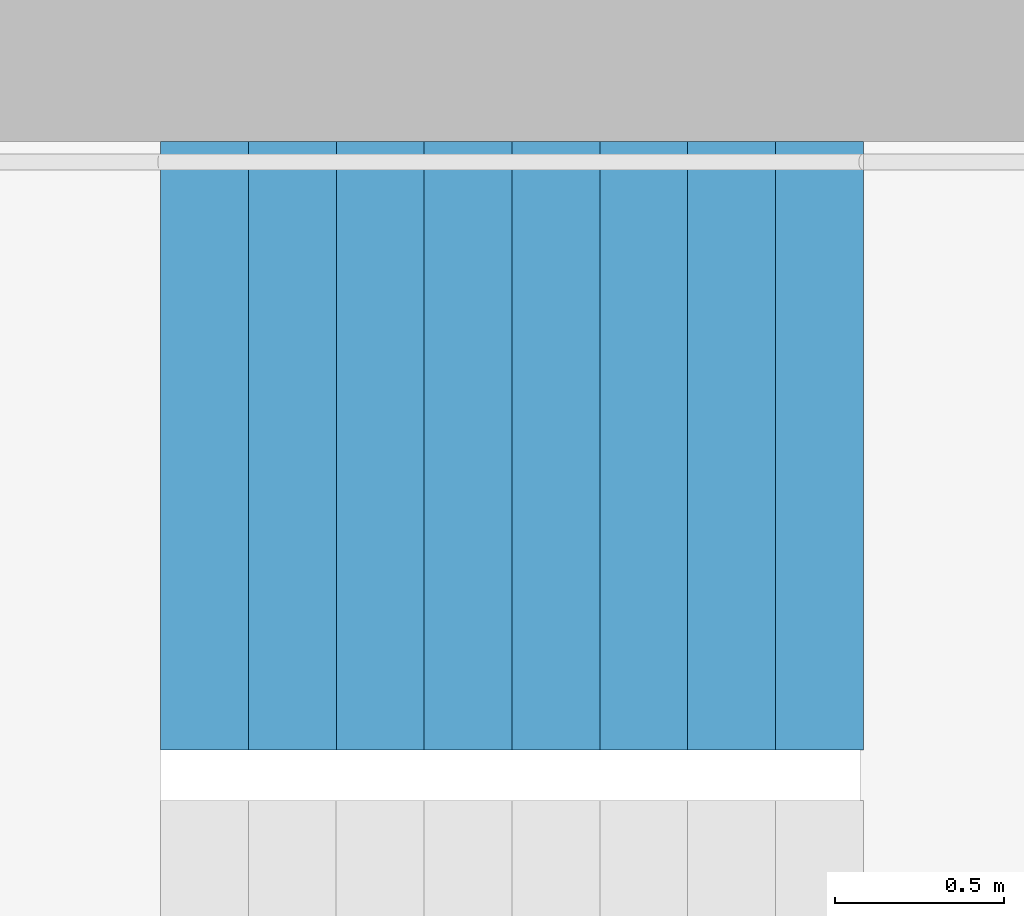
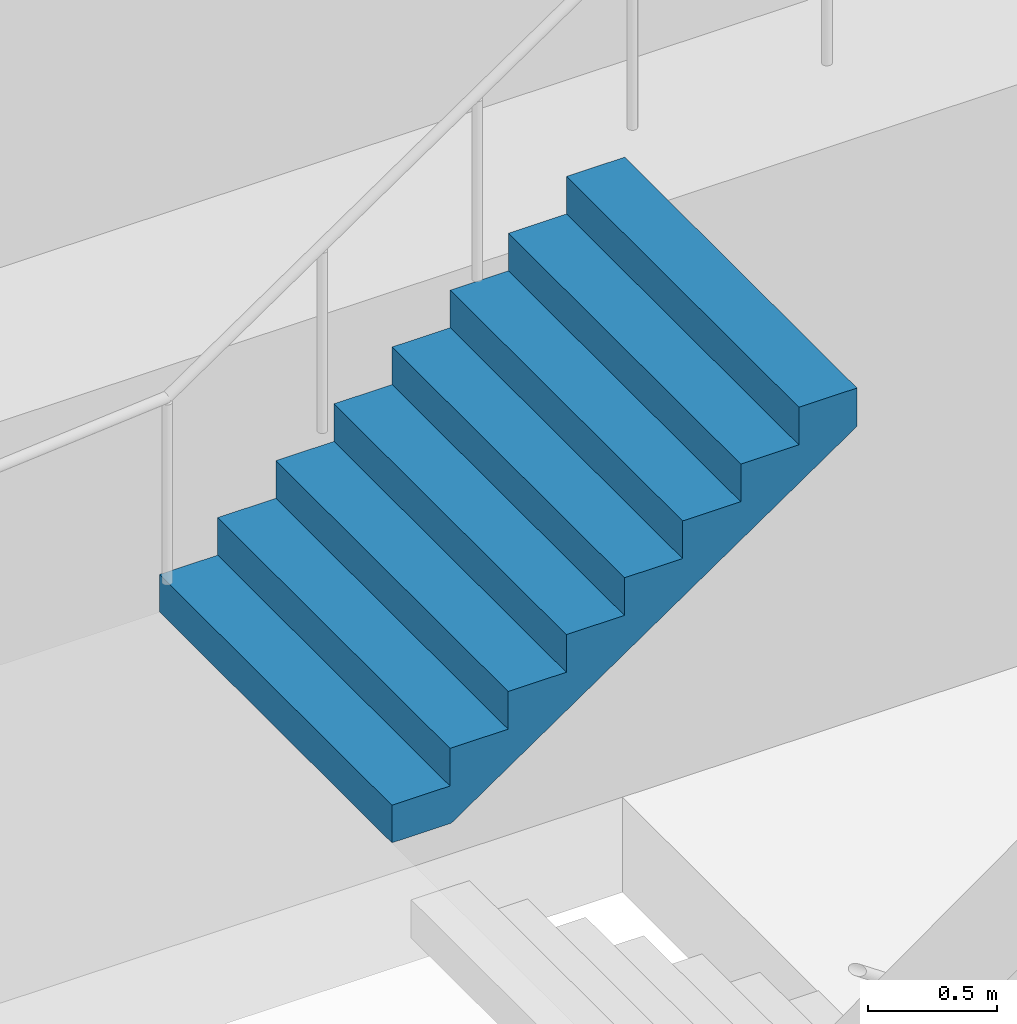
# One storey, part 26 of 27: 1 stair flight, 1 element without a shape of its own.
"""IFC4 building model written with IfcOpenShell, lengths in metres."""

from ifc_helpers import new_model, si_unit, direction, frame, origin, place, context, subcontext, project, spatial, triangles, material, type_object, element, aggregate, save


model = new_model("IFC4")

# Units and contexts
model_context = context("Model", 3, precision=1e-05, world=origin(), true_north=direction((0.0, 1.0)))
body_context = subcontext(model_context, "Body", "Model", "MODEL_VIEW")
ifc_project = project(units=[si_unit("LENGTHUNIT", "METRE"), si_unit("AREAUNIT", "SQUARE_METRE"), si_unit("VOLUMEUNIT", "CUBIC_METRE"), si_unit("PLANEANGLEUNIT", "RADIAN"), si_unit("MASSUNIT", "GRAM", prefix="KILO")], contexts=[model_context])

# Site, building, storey
site_placement = place(None, origin())
site = spatial("IfcSite", under=ifc_project, at=site_placement, CompositionType="ELEMENT")
building_placement = place(site_placement, origin())
building = spatial("IfcBuilding", under=site, at=building_placement, Name="Hakoniwa Tower and Hamabe Station Hall", CompositionType="ELEMENT")
storey_placement = place(building_placement, frame((0.0, 0.0, 239.0)))
storey = spatial("IfcBuildingStorey", under=building, at=storey_placement, Name="L67", CompositionType="ELEMENT", Elevation=239.0)

# Stair, stair flight
ifc_material_1 = material(Name="Concrete C40", Category="concrete")
stair_type = type_object("IfcStairType", Name="ESCAPE STAIR 1800", PredefinedType="HALF_TURN_STAIR", material=ifc_material_1)
stair_placement = place(storey_placement, origin())
stair = element("IfcStair", 1, at=stair_placement, inside=storey, type_object=stair_type, Name="Escape stair ST-3 L67", PredefinedType="HALF_TURN_STAIR")
ifc_material_2 = material(Name="Concrete C40", Category="concrete")
stair_flight_type = type_object("IfcStairFlightType", Name="STAIR FLIGHT 1800", PredefinedType="STRAIGHT", material=ifc_material_2)
stair_flight_placement = place(storey_placement, frame((22.320068359375, 6.60009765625, 1.60009765625), z_axis=(0.0, 0.0, 1.0), x_axis=(1.0, 0.0, 0.0)))
stair_flight = element("IfcStairFlight", 2, at=stair_flight_placement, type_object=stair_flight_type, Name="ST-3 flight 2", NumberOfRisers=9, NumberOfTreads=8, PredefinedType="STRAIGHT", RiserHeight=0.177777778, TreadLength=0.26, context=body_context, shape_type="Tessellation", body=[
    triangles([(0.0, 0.89990234375, 0.0), (0.260009765625, 0.89990234375, 0.0), (0.265625, 0.89990234375, 0.0), (0.52001953125, 0.89990234375, 0.174072265625), (0.780029296875, 0.89990234375, 0.351806640625), (1.0400390625, 0.89990234375, 0.529541015625), (1.300048828125, 0.89990234375, 0.707275390625), (1.56005859375, 0.89990234375, 0.885009765625), (1.820068359375, 0.89990234375, 1.062744140625), (2.080078125, 0.89990234375, 1.24072265625), (2.080078125, 0.89990234375, 1.422119140625), (1.820068359375, 0.89990234375, 1.422119140625), (1.820068359375, 0.89990234375, 1.244384765625), (1.56005859375, 0.89990234375, 1.244384765625), (1.56005859375, 0.89990234375, 1.066650390625), (1.300048828125, 0.89990234375, 1.066650390625), (1.300048828125, 0.89990234375, 0.888916015625), (1.0400390625, 0.89990234375, 0.888916015625), (1.0400390625, 0.89990234375, 0.711181640625), (0.780029296875, 0.89990234375, 0.711181640625), (0.780029296875, 0.89990234375, 0.533447265625), (0.52001953125, 0.89990234375, 0.533447265625), (0.52001953125, 0.89990234375, 0.35546875), (0.265625, 0.89990234375, 0.35546875), (0.260009765625, 0.89990234375, 0.35546875), (0.260009765625, 0.89990234375, 0.177734375), (0.0, 0.89990234375, 0.177734375), (0.0, 0.06005859375, 0.0), (0.260009765625, 0.06005859375, 0.0), (0.265625, 0.06005859375, 0.0), (0.52001953125, 0.06005859375, 0.174072265625), (0.780029296875, 0.06005859375, 0.351806640625), (1.0400390625, 0.06005859375, 0.529541015625), (1.300048828125, 0.06005859375, 0.707275390625), (1.56005859375, 0.06005859375, 0.885009765625), (1.820068359375, 0.06005859375, 1.062744140625), (2.080078125, 0.06005859375, 1.24072265625), (2.080078125, 0.06005859375, 1.422119140625), (1.820068359375, 0.06005859375, 1.422119140625), (1.820068359375, 0.06005859375, 1.244384765625), (1.56005859375, 0.06005859375, 1.244384765625), (1.56005859375, 0.06005859375, 1.066650390625), (1.300048828125, 0.06005859375, 1.066650390625), (1.300048828125, 0.06005859375, 0.888916015625), (1.0400390625, 0.06005859375, 0.888916015625), (1.0400390625, 0.06005859375, 0.711181640625), (0.780029296875, 0.06005859375, 0.711181640625), (0.780029296875, 0.06005859375, 0.533447265625), (0.52001953125, 0.06005859375, 0.533447265625), (0.52001953125, 0.06005859375, 0.35546875), (0.265625, 0.06005859375, 0.35546875), (0.260009765625, 0.06005859375, 0.35546875), (0.260009765625, 0.06005859375, 0.177734375), (0.0, 0.06005859375, 0.177734375), (0.0, 0.04296875, 0.0), (0.260009765625, 0.04296875, 0.0), (0.265625, 0.04296875, 0.0), (0.52001953125, 0.04296875, 0.174072265625), (0.780029296875, 0.04296875, 0.351806640625), (1.0400390625, 0.04296875, 0.529541015625), (1.300048828125, 0.04296875, 0.707275390625), (1.56005859375, 0.04296875, 0.885009765625), (1.820068359375, 0.04296875, 1.062744140625), (2.080078125, 0.04296875, 1.24072265625), (2.080078125, 0.04296875, 1.422119140625), (1.820068359375, 0.04296875, 1.422119140625), (1.820068359375, 0.04296875, 1.244384765625), (1.56005859375, 0.04296875, 1.244384765625), (1.56005859375, 0.04296875, 1.066650390625), (1.300048828125, 0.04296875, 1.066650390625), (1.300048828125, 0.04296875, 0.888916015625), (1.0400390625, 0.04296875, 0.888916015625), (1.0400390625, 0.04296875, 0.711181640625), (0.780029296875, 0.04296875, 0.711181640625), (0.780029296875, 0.04296875, 0.533447265625), (0.52001953125, 0.04296875, 0.533447265625), (0.52001953125, 0.04296875, 0.35546875), (0.265625, 0.04296875, 0.35546875), (0.260009765625, 0.04296875, 0.35546875), (0.260009765625, 0.04296875, 0.177734375), (0.0, 0.04296875, 0.177734375), (0.0, 0.025634765625, 0.0), (0.260009765625, 0.025634765625, 0.0), (0.265625, 0.025634765625, 0.0), (0.52001953125, 0.025634765625, 0.174072265625), (0.780029296875, 0.025634765625, 0.351806640625), (1.0400390625, 0.025634765625, 0.529541015625), (1.300048828125, 0.025634765625, 0.707275390625), (1.56005859375, 0.025634765625, 0.885009765625), (1.820068359375, 0.025634765625, 1.062744140625), (2.080078125, 0.025634765625, 1.24072265625), (2.080078125, 0.025634765625, 1.422119140625), (1.820068359375, 0.025634765625, 1.422119140625), (1.820068359375, 0.025634765625, 1.244384765625), (1.56005859375, 0.025634765625, 1.244384765625), (1.56005859375, 0.025634765625, 1.066650390625), (1.300048828125, 0.025634765625, 1.066650390625), (1.300048828125, 0.025634765625, 0.888916015625), (1.0400390625, 0.025634765625, 0.888916015625), (1.0400390625, 0.025634765625, 0.711181640625), (0.780029296875, 0.025634765625, 0.711181640625), (0.780029296875, 0.025634765625, 0.533447265625), (0.52001953125, 0.025634765625, 0.533447265625), (0.52001953125, 0.025634765625, 0.35546875), (0.265625, 0.025634765625, 0.35546875), (0.260009765625, 0.025634765625, 0.35546875), (0.260009765625, 0.025634765625, 0.177734375), (0.0, 0.025634765625, 0.177734375), (0.0, 0.008544921875, 0.0), (0.260009765625, 0.008544921875, 0.0), (0.265625, 0.008544921875, 0.0), (0.52001953125, 0.008544921875, 0.174072265625), (0.780029296875, 0.008544921875, 0.351806640625), (1.0400390625, 0.008544921875, 0.529541015625), (1.300048828125, 0.008544921875, 0.707275390625), (1.56005859375, 0.008544921875, 0.885009765625), (1.820068359375, 0.008544921875, 1.062744140625), (2.080078125, 0.008544921875, 1.24072265625), (2.080078125, 0.008544921875, 1.422119140625), (1.820068359375, 0.008544921875, 1.422119140625), (1.820068359375, 0.008544921875, 1.244384765625), (1.56005859375, 0.008544921875, 1.244384765625), (1.56005859375, 0.008544921875, 1.066650390625), (1.300048828125, 0.008544921875, 1.066650390625), (1.300048828125, 0.008544921875, 0.888916015625), (1.0400390625, 0.008544921875, 0.888916015625), (1.0400390625, 0.008544921875, 0.711181640625), (0.780029296875, 0.008544921875, 0.711181640625), (0.780029296875, 0.008544921875, 0.533447265625), (0.52001953125, 0.008544921875, 0.533447265625), (0.52001953125, 0.008544921875, 0.35546875), (0.265625, 0.008544921875, 0.35546875), (0.260009765625, 0.008544921875, 0.35546875), (0.260009765625, 0.008544921875, 0.177734375), (0.0, 0.008544921875, 0.177734375), (0.0, -0.008544921875, 0.0), (0.260009765625, -0.008544921875, 0.0), (0.265625, -0.008544921875, 0.0), (0.52001953125, -0.008544921875, 0.174072265625), (0.780029296875, -0.008544921875, 0.351806640625), (1.0400390625, -0.008544921875, 0.529541015625), (1.300048828125, -0.008544921875, 0.707275390625), (1.56005859375, -0.008544921875, 0.885009765625), (1.820068359375, -0.008544921875, 1.062744140625), (2.080078125, -0.008544921875, 1.24072265625), (2.080078125, -0.008544921875, 1.422119140625), (1.820068359375, -0.008544921875, 1.422119140625), (1.820068359375, -0.008544921875, 1.244384765625), (1.56005859375, -0.008544921875, 1.244384765625), (1.56005859375, -0.008544921875, 1.066650390625), (1.300048828125, -0.008544921875, 1.066650390625), (1.300048828125, -0.008544921875, 0.888916015625), (1.0400390625, -0.008544921875, 0.888916015625), (1.0400390625, -0.008544921875, 0.711181640625), (0.780029296875, -0.008544921875, 0.711181640625), (0.780029296875, -0.008544921875, 0.533447265625), (0.52001953125, -0.008544921875, 0.533447265625), (0.52001953125, -0.008544921875, 0.35546875), (0.265625, -0.008544921875, 0.35546875), (0.260009765625, -0.008544921875, 0.35546875), (0.260009765625, -0.008544921875, 0.177734375), (0.0, -0.008544921875, 0.177734375), (0.0, -0.025634765625, 0.0), (0.260009765625, -0.025634765625, 0.0), (0.265625, -0.025634765625, 0.0), (0.52001953125, -0.025634765625, 0.174072265625), (0.780029296875, -0.025634765625, 0.351806640625), (1.0400390625, -0.025634765625, 0.529541015625), (1.300048828125, -0.025634765625, 0.707275390625), (1.56005859375, -0.025634765625, 0.885009765625), (1.820068359375, -0.025634765625, 1.062744140625), (2.080078125, -0.025634765625, 1.24072265625), (2.080078125, -0.025634765625, 1.422119140625), (1.820068359375, -0.025634765625, 1.422119140625), (1.820068359375, -0.025634765625, 1.244384765625), (1.56005859375, -0.025634765625, 1.244384765625), (1.56005859375, -0.025634765625, 1.066650390625), (1.300048828125, -0.025634765625, 1.066650390625), (1.300048828125, -0.025634765625, 0.888916015625), (1.0400390625, -0.025634765625, 0.888916015625), (1.0400390625, -0.025634765625, 0.711181640625), (0.780029296875, -0.025634765625, 0.711181640625), (0.780029296875, -0.025634765625, 0.533447265625), (0.52001953125, -0.025634765625, 0.533447265625), (0.52001953125, -0.025634765625, 0.35546875), (0.265625, -0.025634765625, 0.35546875), (0.260009765625, -0.025634765625, 0.35546875), (0.260009765625, -0.025634765625, 0.177734375), (0.0, -0.025634765625, 0.177734375), (0.0, -0.04296875, 0.0), (0.260009765625, -0.04296875, 0.0), (0.265625, -0.04296875, 0.0), (0.52001953125, -0.04296875, 0.174072265625), (0.780029296875, -0.04296875, 0.351806640625), (1.0400390625, -0.04296875, 0.529541015625), (1.300048828125, -0.04296875, 0.707275390625), (1.56005859375, -0.04296875, 0.885009765625), (1.820068359375, -0.04296875, 1.062744140625), (2.080078125, -0.04296875, 1.24072265625), (2.080078125, -0.04296875, 1.422119140625), (1.820068359375, -0.04296875, 1.422119140625), (1.820068359375, -0.04296875, 1.244384765625), (1.56005859375, -0.04296875, 1.244384765625), (1.56005859375, -0.04296875, 1.066650390625), (1.300048828125, -0.04296875, 1.066650390625), (1.300048828125, -0.04296875, 0.888916015625), (1.0400390625, -0.04296875, 0.888916015625), (1.0400390625, -0.04296875, 0.711181640625), (0.780029296875, -0.04296875, 0.711181640625), (0.780029296875, -0.04296875, 0.533447265625), (0.52001953125, -0.04296875, 0.533447265625), (0.52001953125, -0.04296875, 0.35546875), (0.265625, -0.04296875, 0.35546875), (0.260009765625, -0.04296875, 0.35546875), (0.260009765625, -0.04296875, 0.177734375), (0.0, -0.04296875, 0.177734375), (0.0, -0.06005859375, 0.0), (0.260009765625, -0.06005859375, 0.0), (0.265625, -0.06005859375, 0.0), (0.52001953125, -0.06005859375, 0.174072265625), (0.780029296875, -0.06005859375, 0.351806640625), (1.0400390625, -0.06005859375, 0.529541015625), (1.300048828125, -0.06005859375, 0.707275390625), (1.56005859375, -0.06005859375, 0.885009765625), (1.820068359375, -0.06005859375, 1.062744140625), (2.080078125, -0.06005859375, 1.24072265625), (2.080078125, -0.06005859375, 1.422119140625), (1.820068359375, -0.06005859375, 1.422119140625), (1.820068359375, -0.06005859375, 1.244384765625), (1.56005859375, -0.06005859375, 1.244384765625), (1.56005859375, -0.06005859375, 1.066650390625), (1.300048828125, -0.06005859375, 1.066650390625), (1.300048828125, -0.06005859375, 0.888916015625), (1.0400390625, -0.06005859375, 0.888916015625), (1.0400390625, -0.06005859375, 0.711181640625), (0.780029296875, -0.06005859375, 0.711181640625), (0.780029296875, -0.06005859375, 0.533447265625), (0.52001953125, -0.06005859375, 0.533447265625), (0.52001953125, -0.06005859375, 0.35546875), (0.265625, -0.06005859375, 0.35546875), (0.260009765625, -0.06005859375, 0.35546875), (0.260009765625, -0.06005859375, 0.177734375), (0.0, -0.06005859375, 0.177734375), (0.0, -0.89990234375, 0.0), (0.260009765625, -0.89990234375, 0.0), (0.265625, -0.89990234375, 0.0), (0.52001953125, -0.89990234375, 0.174072265625), (0.780029296875, -0.89990234375, 0.351806640625), (1.0400390625, -0.89990234375, 0.529541015625), (1.300048828125, -0.89990234375, 0.707275390625), (1.56005859375, -0.89990234375, 0.885009765625), (1.820068359375, -0.89990234375, 1.062744140625), (2.080078125, -0.89990234375, 1.24072265625), (2.080078125, -0.89990234375, 1.422119140625), (1.820068359375, -0.89990234375, 1.422119140625), (1.820068359375, -0.89990234375, 1.244384765625), (1.56005859375, -0.89990234375, 1.244384765625), (1.56005859375, -0.89990234375, 1.066650390625), (1.300048828125, -0.89990234375, 1.066650390625), (1.300048828125, -0.89990234375, 0.888916015625), (1.0400390625, -0.89990234375, 0.888916015625), (1.0400390625, -0.89990234375, 0.711181640625), (0.780029296875, -0.89990234375, 0.711181640625), (0.780029296875, -0.89990234375, 0.533447265625), (0.52001953125, -0.89990234375, 0.533447265625), (0.52001953125, -0.89990234375, 0.35546875), (0.265625, -0.89990234375, 0.35546875), (0.260009765625, -0.89990234375, 0.35546875), (0.260009765625, -0.89990234375, 0.177734375), (0.0, -0.89990234375, 0.177734375)], [[2, 27, 26], [245, 269, 270], [2, 1, 27], [245, 270, 244], [3, 25, 24], [246, 267, 268], [3, 26, 25], [246, 268, 269], [3, 2, 26], [246, 269, 245], [4, 24, 23], [247, 266, 267], [4, 3, 24], [247, 267, 246], [5, 22, 21], [248, 264, 265], [5, 23, 22], [248, 265, 266], [5, 4, 23], [248, 266, 247], [6, 20, 19], [249, 262, 263], [6, 21, 20], [249, 263, 264], [6, 5, 21], [249, 264, 248], [7, 18, 17], [250, 260, 261], [7, 19, 18], [250, 261, 262], [7, 6, 19], [250, 262, 249], [8, 16, 15], [251, 258, 259], [8, 17, 16], [251, 259, 260], [8, 7, 17], [251, 260, 250], [9, 14, 13], [252, 256, 257], [9, 15, 14], [252, 257, 258], [9, 8, 15], [252, 258, 251], [10, 12, 11], [253, 254, 255], [10, 13, 12], [253, 255, 256], [10, 9, 13], [253, 256, 252], [1, 2, 29], [1, 29, 28], [28, 29, 56], [28, 56, 55], [55, 56, 83], [55, 83, 82], [82, 83, 110], [82, 110, 109], [109, 110, 137], [109, 137, 136], [136, 137, 164], [136, 164, 163], [163, 164, 191], [163, 191, 190], [190, 191, 218], [190, 218, 217], [217, 218, 245], [217, 245, 244], [2, 3, 30], [2, 30, 29], [29, 30, 57], [29, 57, 56], [56, 57, 84], [56, 84, 83], [83, 84, 111], [83, 111, 110], [110, 111, 138], [110, 138, 137], [137, 138, 165], [137, 165, 164], [164, 165, 192], [164, 192, 191], [191, 192, 219], [191, 219, 218], [218, 219, 246], [218, 246, 245], [3, 4, 31], [3, 31, 30], [30, 31, 58], [30, 58, 57], [57, 58, 85], [57, 85, 84], [84, 85, 112], [84, 112, 111], [111, 112, 139], [111, 139, 138], [138, 139, 166], [138, 166, 165], [165, 166, 193], [165, 193, 192], [192, 193, 220], [192, 220, 219], [219, 220, 247], [219, 247, 246], [4, 5, 32], [4, 32, 31], [31, 32, 59], [31, 59, 58], [58, 59, 86], [58, 86, 85], [85, 86, 113], [85, 113, 112], [112, 113, 140], [112, 140, 139], [139, 140, 167], [139, 167, 166], [166, 167, 194], [166, 194, 193], [193, 194, 221], [193, 221, 220], [220, 221, 248], [220, 248, 247], [5, 6, 33], [5, 33, 32], [32, 33, 60], [32, 60, 59], [59, 60, 87], [59, 87, 86], [86, 87, 114], [86, 114, 113], [113, 114, 141], [113, 141, 140], [140, 141, 168], [140, 168, 167], [167, 168, 195], [167, 195, 194], [194, 195, 222], [194, 222, 221], [221, 222, 249], [221, 249, 248], [6, 7, 34], [6, 34, 33], [33, 34, 61], [33, 61, 60], [60, 61, 88], [60, 88, 87], [87, 88, 115], [87, 115, 114], [114, 115, 142], [114, 142, 141], [141, 142, 169], [141, 169, 168], [168, 169, 196], [168, 196, 195], [195, 196, 223], [195, 223, 222], [222, 223, 250], [222, 250, 249], [7, 8, 35], [7, 35, 34], [34, 35, 62], [34, 62, 61], [61, 62, 89], [61, 89, 88], [88, 89, 116], [88, 116, 115], [115, 116, 143], [115, 143, 142], [142, 143, 170], [142, 170, 169], [169, 170, 197], [169, 197, 196], [196, 197, 224], [196, 224, 223], [223, 224, 251], [223, 251, 250], [8, 9, 36], [8, 36, 35], [35, 36, 63], [35, 63, 62], [62, 63, 90], [62, 90, 89], [89, 90, 117], [89, 117, 116], [116, 117, 144], [116, 144, 143], [143, 144, 171], [143, 171, 170], [170, 171, 198], [170, 198, 197], [197, 198, 225], [197, 225, 224], [224, 225, 252], [224, 252, 251], [9, 10, 37], [9, 37, 36], [36, 37, 64], [36, 64, 63], [63, 64, 91], [63, 91, 90], [90, 91, 118], [90, 118, 117], [117, 118, 145], [117, 145, 144], [144, 145, 172], [144, 172, 171], [171, 172, 199], [171, 199, 198], [198, 199, 226], [198, 226, 225], [225, 226, 253], [225, 253, 252], [10, 11, 38], [10, 38, 37], [37, 38, 65], [37, 65, 64], [64, 65, 92], [64, 92, 91], [91, 92, 119], [91, 119, 118], [118, 119, 146], [118, 146, 145], [145, 146, 173], [145, 173, 172], [172, 173, 200], [172, 200, 199], [199, 200, 227], [199, 227, 226], [226, 227, 254], [226, 254, 253], [11, 12, 39], [11, 39, 38], [38, 39, 66], [38, 66, 65], [65, 66, 93], [65, 93, 92], [92, 93, 120], [92, 120, 119], [119, 120, 147], [119, 147, 146], [146, 147, 174], [146, 174, 173], [173, 174, 201], [173, 201, 200], [200, 201, 228], [200, 228, 227], [227, 228, 255], [227, 255, 254], [12, 13, 40], [12, 40, 39], [39, 40, 67], [39, 67, 66], [66, 67, 94], [66, 94, 93], [93, 94, 121], [93, 121, 120], [120, 121, 148], [120, 148, 147], [147, 148, 175], [147, 175, 174], [174, 175, 202], [174, 202, 201], [201, 202, 229], [201, 229, 228], [228, 229, 256], [228, 256, 255], [13, 14, 41], [13, 41, 40], [40, 41, 68], [40, 68, 67], [67, 68, 95], [67, 95, 94], [94, 95, 122], [94, 122, 121], [121, 122, 149], [121, 149, 148], [148, 149, 176], [148, 176, 175], [175, 176, 203], [175, 203, 202], [202, 203, 230], [202, 230, 229], [229, 230, 257], [229, 257, 256], [14, 15, 42], [14, 42, 41], [41, 42, 69], [41, 69, 68], [68, 69, 96], [68, 96, 95], [95, 96, 123], [95, 123, 122], [122, 123, 150], [122, 150, 149], [149, 150, 177], [149, 177, 176], [176, 177, 204], [176, 204, 203], [203, 204, 231], [203, 231, 230], [230, 231, 258], [230, 258, 257], [15, 16, 43], [15, 43, 42], [42, 43, 70], [42, 70, 69], [69, 70, 97], [69, 97, 96], [96, 97, 124], [96, 124, 123], [123, 124, 151], [123, 151, 150], [150, 151, 178], [150, 178, 177], [177, 178, 205], [177, 205, 204], [204, 205, 232], [204, 232, 231], [231, 232, 259], [231, 259, 258], [16, 17, 44], [16, 44, 43], [43, 44, 71], [43, 71, 70], [70, 71, 98], [70, 98, 97], [97, 98, 125], [97, 125, 124], [124, 125, 152], [124, 152, 151], [151, 152, 179], [151, 179, 178], [178, 179, 206], [178, 206, 205], [205, 206, 233], [205, 233, 232], [232, 233, 260], [232, 260, 259], [17, 18, 45], [17, 45, 44], [44, 45, 72], [44, 72, 71], [71, 72, 99], [71, 99, 98], [98, 99, 126], [98, 126, 125], [125, 126, 153], [125, 153, 152], [152, 153, 180], [152, 180, 179], [179, 180, 207], [179, 207, 206], [206, 207, 234], [206, 234, 233], [233, 234, 261], [233, 261, 260], [18, 19, 46], [18, 46, 45], [45, 46, 73], [45, 73, 72], [72, 73, 100], [72, 100, 99], [99, 100, 127], [99, 127, 126], [126, 127, 154], [126, 154, 153], [153, 154, 181], [153, 181, 180], [180, 181, 208], [180, 208, 207], [207, 208, 235], [207, 235, 234], [234, 235, 262], [234, 262, 261], [19, 20, 47], [19, 47, 46], [46, 47, 74], [46, 74, 73], [73, 74, 101], [73, 101, 100], [100, 101, 128], [100, 128, 127], [127, 128, 155], [127, 155, 154], [154, 155, 182], [154, 182, 181], [181, 182, 209], [181, 209, 208], [208, 209, 236], [208, 236, 235], [235, 236, 263], [235, 263, 262], [20, 21, 48], [20, 48, 47], [47, 48, 75], [47, 75, 74], [74, 75, 102], [74, 102, 101], [101, 102, 129], [101, 129, 128], [128, 129, 156], [128, 156, 155], [155, 156, 183], [155, 183, 182], [182, 183, 210], [182, 210, 209], [209, 210, 237], [209, 237, 236], [236, 237, 264], [236, 264, 263], [21, 22, 49], [21, 49, 48], [48, 49, 76], [48, 76, 75], [75, 76, 103], [75, 103, 102], [102, 103, 130], [102, 130, 129], [129, 130, 157], [129, 157, 156], [156, 157, 184], [156, 184, 183], [183, 184, 211], [183, 211, 210], [210, 211, 238], [210, 238, 237], [237, 238, 265], [237, 265, 264], [22, 23, 50], [22, 50, 49], [49, 50, 77], [49, 77, 76], [76, 77, 104], [76, 104, 103], [103, 104, 131], [103, 131, 130], [130, 131, 158], [130, 158, 157], [157, 158, 185], [157, 185, 184], [184, 185, 212], [184, 212, 211], [211, 212, 239], [211, 239, 238], [238, 239, 266], [238, 266, 265], [23, 24, 51], [23, 51, 50], [50, 51, 78], [50, 78, 77], [77, 78, 105], [77, 105, 104], [104, 105, 132], [104, 132, 131], [131, 132, 159], [131, 159, 158], [158, 159, 186], [158, 186, 185], [185, 186, 213], [185, 213, 212], [212, 213, 240], [212, 240, 239], [239, 240, 267], [239, 267, 266], [24, 25, 52], [24, 52, 51], [51, 52, 79], [51, 79, 78], [78, 79, 106], [78, 106, 105], [105, 106, 133], [105, 133, 132], [132, 133, 160], [132, 160, 159], [159, 160, 187], [159, 187, 186], [186, 187, 214], [186, 214, 213], [213, 214, 241], [213, 241, 240], [240, 241, 268], [240, 268, 267], [25, 26, 53], [25, 53, 52], [52, 53, 80], [52, 80, 79], [79, 80, 107], [79, 107, 106], [106, 107, 134], [106, 134, 133], [133, 134, 161], [133, 161, 160], [160, 161, 188], [160, 188, 187], [187, 188, 215], [187, 215, 214], [214, 215, 242], [214, 242, 241], [241, 242, 269], [241, 269, 268], [26, 27, 54], [26, 54, 53], [53, 54, 81], [53, 81, 80], [80, 81, 108], [80, 108, 107], [107, 108, 135], [107, 135, 134], [134, 135, 162], [134, 162, 161], [161, 162, 189], [161, 189, 188], [188, 189, 216], [188, 216, 215], [215, 216, 243], [215, 243, 242], [242, 243, 270], [242, 270, 269], [27, 1, 28], [27, 28, 54], [54, 28, 55], [54, 55, 81], [81, 55, 82], [81, 82, 108], [108, 82, 109], [108, 109, 135], [135, 109, 136], [135, 136, 162], [162, 136, 163], [162, 163, 189], [189, 163, 190], [189, 190, 216], [216, 190, 217], [216, 217, 243], [243, 217, 244], [243, 244, 270]], closed=True),
])
aggregate(stair, [stair_flight])

save(model, "model.ifc")
